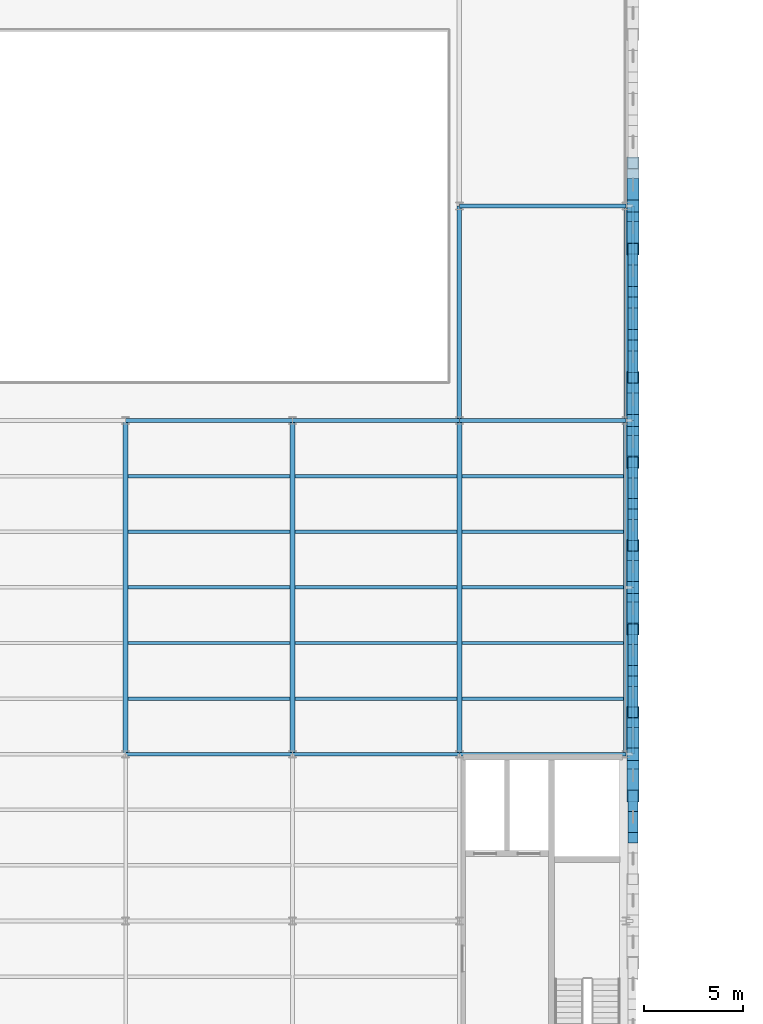
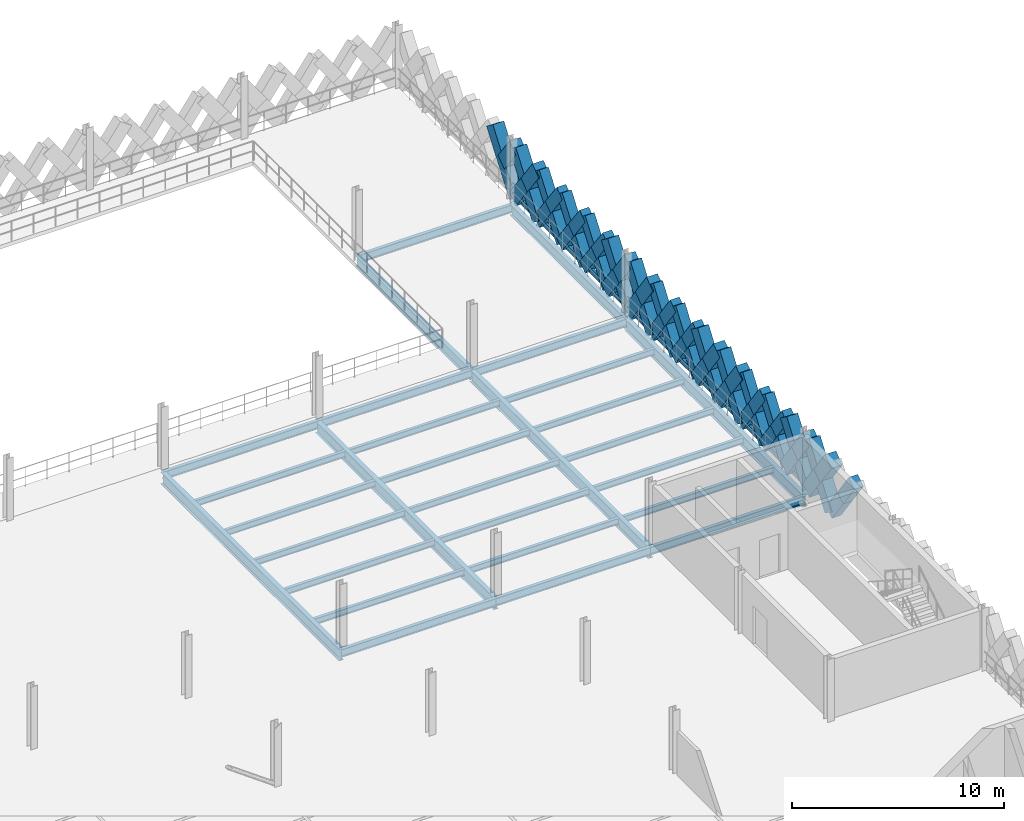
# One storey, part 27 of 62: 49 members, 28 beams.
"""IFC4 building model written with IfcOpenShell, lengths in metres."""

from ifc_helpers import new_model, si_unit, direction, frame, origin, origin_2d, place, context, subcontext, project, spatial, rectangle, hollow_rectangle, i_section, extrude, material, material_profile, profile_set, type_object, element, save


model = new_model("IFC4")

# Units and contexts
model_context = context("Model", 3, precision=1e-05, world=origin(), true_north=direction((0.0, 1.0)))
body_context = subcontext(model_context, "Body", "Model", "MODEL_VIEW")
ifc_project = project(units=[si_unit("LENGTHUNIT", "METRE"), si_unit("AREAUNIT", "SQUARE_METRE"), si_unit("VOLUMEUNIT", "CUBIC_METRE"), si_unit("PLANEANGLEUNIT", "RADIAN"), si_unit("MASSUNIT", "GRAM", prefix="KILO"), si_unit("THERMODYNAMICTEMPERATUREUNIT", "KELVIN"), si_unit("POWERUNIT", "WATT")], contexts=[model_context])

# Site, building, storey
site_placement = place(None, origin())
site = spatial("IfcSite", under=ifc_project, at=site_placement, CompositionType="ELEMENT")
building_placement = place(site_placement, origin())
building = spatial("IfcBuilding", under=site, at=building_placement, Name="Tembeka Court Mobility Hub", CompositionType="ELEMENT")
storey_placement = place(building_placement, frame((0.0, 0.0, 16.199951171875)))
storey = spatial("IfcBuildingStorey", under=building, at=storey_placement, Name="L04", CompositionType="ELEMENT", Elevation=16.199951171875)

# Beams
ifc_material_1 = material(Name="Steel S355", Category="steel")
ifc_material_profile_1 = material_profile(ifc_material_1, i_section(OverallWidth=0.18994140625, OverallDepth=0.45703125, WebThickness=0.009033203125, FlangeThickness=0.014404296875, FilletRadius=0.01025390625, at=origin_2d()), Name="UKB 457x191x74")
ifc_profile_set_1 = profile_set([ifc_material_profile_1], Name="Steel S355")
beam_type_1 = type_object("IfcBeamType", Name="BM-B01", PredefinedType="BEAM", material=ifc_profile_set_1)
beam_1_placement = place(storey_placement, frame((67.199951171875, 80.39990234375, -0.448486328125), z_axis=(1.0, 0.0, 0.0), x_axis=(0.0, 1.0, 0.0)))
element("IfcBeam", 1, at=beam_1_placement, inside=storey, type_object=beam_type_1, Name="Beam B01 (BM-L04-X2286)", PredefinedType="BEAM", context=body_context, shape_type="SweptSolid", body=[
    extrude(i_section(OverallWidth=0.18994140625, OverallDepth=0.45703125, WebThickness=0.009033203125, FlangeThickness=0.014404296875, FilletRadius=0.01025390625, at=origin_2d()), origin(), (0.0, 0.0, 1.0), 8.400146484375),
])
for number, where, z_axis, x_axis, name in (
    (2, (75.60009765625, 80.39990234375, -0.448486328125), (1.0, 0.0, 0.0), (0.0, 1.0, 0.0), "Beam B01 (BM-L04-X2287)"),
    (3, (84.0, 80.39990234375, -0.448486328125), (1.0, 0.0, 0.0), (0.0, 1.0, 0.0), "Beam B01 (BM-L04-X2288)"),
):
    element("IfcBeam", number, at=place(storey_placement, frame(where, z_axis=z_axis, x_axis=x_axis)), inside=storey, type_object=beam_type_1, Name=name, PredefinedType="BEAM", context=body_context, shape_type="SweptSolid", body=[
        extrude(i_section(OverallWidth=0.18994140625, OverallDepth=0.45703125, WebThickness=0.009033203125, FlangeThickness=0.014404296875, FilletRadius=0.01025390625, at=origin_2d()), origin(), (0.0, 0.0, 1.0), 8.39990234375),
    ])
beam_2_placement = place(storey_placement, frame((67.199951171875, 97.199951171875, -0.448486328125), z_axis=(1.0, 0.0, 0.0), x_axis=(0.0, 1.0, 0.0)))
element("IfcBeam", 4, at=beam_2_placement, inside=storey, type_object=beam_type_1, Name="Beam B01 (BM-L04-X2297)", PredefinedType="BEAM", context=body_context, shape_type="SweptSolid", body=[
    extrude(i_section(OverallWidth=0.18994140625, OverallDepth=0.45703125, WebThickness=0.009033203125, FlangeThickness=0.014404296875, FilletRadius=0.01025390625, at=origin_2d()), origin(), (0.0, 0.0, 1.0), 8.400146484375),
])
for number, where, z_axis, x_axis, name in (
    (5, (75.60009765625, 97.199951171875, -0.448486328125), (1.0, 0.0, 0.0), (0.0, 1.0, 0.0), "Beam B01 (BM-L04-X2298)"),
    (6, (84.0, 97.199951171875, -0.448486328125), (1.0, 0.0, 0.0), (0.0, 1.0, 0.0), "Beam B01 (BM-L04-X2299)"),
    (7, (84.0, 108.0, -0.448486328125), (1.0, 0.0, 0.0), (0.0, 1.0, 0.0), "Beam B01 (BM-L04-X2302)"),
):
    element("IfcBeam", number, at=place(storey_placement, frame(where, z_axis=z_axis, x_axis=x_axis)), inside=storey, type_object=beam_type_1, Name=name, PredefinedType="BEAM", context=body_context, shape_type="SweptSolid", body=[
        extrude(i_section(OverallWidth=0.18994140625, OverallDepth=0.45703125, WebThickness=0.009033203125, FlangeThickness=0.014404296875, FilletRadius=0.01025390625, at=origin_2d()), origin(), (0.0, 0.0, 1.0), 8.39990234375),
    ])
ifc_material_profile_2 = material_profile(ifc_material_1, i_section(OverallWidth=0.25390625, OverallDepth=0.68408203125, WebThickness=0.012451171875, FlangeThickness=0.01904296875, FilletRadius=0.01513671875, at=origin_2d()), Name="UKB 686x254x140")
ifc_profile_set_2 = profile_set([ifc_material_profile_2], Name="Steel S355")
beam_type_2 = type_object("IfcBeamType", Name="BM-G01", PredefinedType="USERDEFINED", material=ifc_profile_set_2)
for number, where, z_axis, x_axis, name in (
    (8, (67.199951171875, 80.39990234375, -0.56201171875), (0.0, 1.0, 0.0), (-1.0, 0.0, 0.0), "Beam G01 (BM-L04-Y2388)"),
    (9, (75.60009765625, 80.39990234375, -0.56201171875), (0.0, 1.0, 0.0), (-1.0, 0.0, 0.0), "Beam G01 (BM-L04-Y2395)"),
    (10, (84.0, 80.39990234375, -0.56201171875), (0.0, 1.0, 0.0), (-1.0, 0.0, 0.0), "Beam G01 (BM-L04-Y2404)"),
    (11, (92.39990234375, 80.39990234375, -0.56201171875), (0.0, 1.0, 0.0), (-1.0, 0.0, 0.0), "Beam G01 (BM-L04-Y2415)"),
):
    element("IfcBeam", number, at=place(storey_placement, frame(where, z_axis=z_axis, x_axis=x_axis)), inside=storey, type_object=beam_type_2, Name=name, ObjectType="GIRDER", PredefinedType="USERDEFINED", context=body_context, shape_type="SweptSolid", body=[
        extrude(i_section(OverallWidth=0.25390625, OverallDepth=0.68408203125, WebThickness=0.012451171875, FlangeThickness=0.01904296875, FilletRadius=0.01513671875, at=origin_2d()), origin(), (0.0, 0.0, 1.0), 16.800048828125),
    ])
ifc_material_profile_3 = material_profile(ifc_material_1, i_section(OverallWidth=0.22900390625, OverallDepth=0.612060546875, WebThickness=0.011962890625, FlangeThickness=0.01953125, FilletRadius=0.0126953125, at=origin_2d()), Name="UKB 610x229x125")
ifc_profile_set_3 = profile_set([ifc_material_profile_3], Name="Steel S355")
beam_type_3 = type_object("IfcBeamType", Name="BM-G02", PredefinedType="USERDEFINED", material=ifc_profile_set_3)
for number, where, z_axis, x_axis, name in (
    (12, (84.0, 97.199951171875, -0.52587890625), (0.0, 1.0, 0.0), (-1.0, 0.0, 0.0), "Beam G02 (BM-L04-Y2405)"),
    (13, (92.39990234375, 97.199951171875, -0.52587890625), (0.0, 1.0, 0.0), (-1.0, 0.0, 0.0), "Beam G02 (BM-L04-Y2416)"),
):
    element("IfcBeam", number, at=place(storey_placement, frame(where, z_axis=z_axis, x_axis=x_axis)), inside=storey, type_object=beam_type_3, Name=name, ObjectType="GIRDER", PredefinedType="USERDEFINED", context=body_context, shape_type="SweptSolid", body=[
        extrude(i_section(OverallWidth=0.22900390625, OverallDepth=0.612060546875, WebThickness=0.011962890625, FlangeThickness=0.01953125, FilletRadius=0.0126953125, at=origin_2d()), origin(), (0.0, 0.0, 1.0), 10.800048828125),
    ])
ifc_material_profile_4 = material_profile(ifc_material_1, i_section(OverallWidth=0.172119140625, OverallDepth=0.35498046875, WebThickness=0.00732421875, FlangeThickness=0.011474609375, FilletRadius=0.01025390625, at=origin_2d()), Name="UKB 356x171x51")
ifc_profile_set_4 = profile_set([ifc_material_profile_4], Name="Steel S355")
beam_type_4 = type_object("IfcBeamType", Name="BM-J01", PredefinedType="JOIST", material=ifc_profile_set_4)
for number, where, z_axis, x_axis, name in (
    (14, (67.322021484375, 83.199951171875, -0.3974609375), (1.0, 0.0, 0.0), (0.0, 1.0, 0.0), "Beam J01 (JST-L04-2597)"),
    (15, (67.322021484375, 86.0, -0.3974609375), (1.0, 0.0, 0.0), (0.0, 1.0, 0.0), "Beam J01 (JST-L04-2598)"),
    (16, (67.322021484375, 88.800048828125, -0.3974609375), (1.0, 0.0, 0.0), (0.0, 1.0, 0.0), "Beam J01 (JST-L04-2599)"),
    (17, (67.322021484375, 91.60009765625, -0.3974609375), (1.0, 0.0, 0.0), (0.0, 1.0, 0.0), "Beam J01 (JST-L04-2600)"),
    (18, (67.322021484375, 94.39990234375, -0.3974609375), (1.0, 0.0, 0.0), (0.0, 1.0, 0.0), "Beam J01 (JST-L04-2601)"),
    (19, (75.721923828125, 83.199951171875, -0.3974609375), (1.0, 0.0, 0.0), (0.0, 1.0, 0.0), "Beam J01 (JST-L04-2617)"),
    (20, (75.721923828125, 86.0, -0.3974609375), (1.0, 0.0, 0.0), (0.0, 1.0, 0.0), "Beam J01 (JST-L04-2618)"),
    (21, (75.721923828125, 88.800048828125, -0.3974609375), (1.0, 0.0, 0.0), (0.0, 1.0, 0.0), "Beam J01 (JST-L04-2619)"),
    (22, (75.721923828125, 91.60009765625, -0.3974609375), (1.0, 0.0, 0.0), (0.0, 1.0, 0.0), "Beam J01 (JST-L04-2620)"),
    (23, (75.721923828125, 94.39990234375, -0.3974609375), (1.0, 0.0, 0.0), (0.0, 1.0, 0.0), "Beam J01 (JST-L04-2621)"),
    (24, (84.1220703125, 83.199951171875, -0.3974609375), (1.0, 0.0, 0.0), (0.0, 1.0, 0.0), "Beam J01 (JST-L04-2629)"),
    (25, (84.1220703125, 86.0, -0.3974609375), (1.0, 0.0, 0.0), (0.0, 1.0, 0.0), "Beam J01 (JST-L04-2630)"),
    (26, (84.1220703125, 88.800048828125, -0.3974609375), (1.0, 0.0, 0.0), (0.0, 1.0, 0.0), "Beam J01 (JST-L04-2631)"),
    (27, (84.1220703125, 91.60009765625, -0.3974609375), (1.0, 0.0, 0.0), (0.0, 1.0, 0.0), "Beam J01 (JST-L04-2632)"),
    (28, (84.1220703125, 94.39990234375, -0.3974609375), (1.0, 0.0, 0.0), (0.0, 1.0, 0.0), "Beam J01 (JST-L04-2633)"),
):
    element("IfcBeam", number, at=place(storey_placement, frame(where, z_axis=z_axis, x_axis=x_axis)), inside=storey, type_object=beam_type_4, Name=name, PredefinedType="JOIST", context=body_context, shape_type="SweptSolid", body=[
        extrude(i_section(OverallWidth=0.172119140625, OverallDepth=0.35498046875, WebThickness=0.00732421875, FlangeThickness=0.011474609375, FilletRadius=0.01025390625, at=origin_2d()), origin(), (0.0, 0.0, 1.0), 8.156005859375),
    ])

# Members
ifc_material_2 = material(Name="Precast concrete C45/55", Category="concrete")
ifc_material_profile_5 = material_profile(ifc_material_2, rectangle(XDim=0.5, YDim=0.64990234375, at=origin_2d()), Name="PC-DIAG 500x650")
ifc_profile_set_5 = profile_set([ifc_material_profile_5], Name="Precast concrete C45/55")
member_type_1 = type_object("IfcMemberType", Name="MEM-DL01", PredefinedType="BRACE", material=ifc_profile_set_5)
member_1_placement = place(storey_placement, frame((92.739990234375, 78.300048828125, 0.02001953125), z_axis=(0.0, -0.582544294934, 0.812798956963), x_axis=(1.0, 0.0, 0.0)))
element("IfcMember", 29, at=member_1_placement, inside=storey, type_object=member_type_1, Name="Precast diamond lattice split lower strand DL01 (L04-769D1)", PredefinedType="BRACE", context=body_context, shape_type="SweptSolid", body=[
    extrude(rectangle(XDim=0.5, YDim=0.64990234375, at=origin_2d()), origin(), (0.0, 0.0, 1.0), 1.802490234375),
])
member_2_placement = place(storey_placement, frame((92.739990234375, 77.25, 1.485107421875), z_axis=(0.0, -0.582608431711, 0.812752985414), x_axis=(1.0, 0.0, 0.0)))
element("IfcMember", 30, at=member_2_placement, inside=storey, type_object=member_type_1, Name="Precast diamond lattice split upper strand DL01 (L04-769D2)", PredefinedType="BRACE", context=body_context, shape_type="SweptSolid", body=[
    extrude(rectangle(XDim=0.5, YDim=0.64990234375, at=origin_2d()), origin(), (0.0, 0.0, 1.0), 1.80224609375),
])
member_3_placement = place(storey_placement, frame((92.739990234375, 82.5, 0.02001953125), z_axis=(0.0, 0.582576362011, 0.812775973086), x_axis=(-1.0, 0.0, 0.0)))
element("IfcMember", 31, at=member_3_placement, inside=storey, type_object=member_type_1, Name="Precast diamond lattice continuous strand DL01 (L04-772C)", PredefinedType="BRACE", context=body_context, shape_type="SweptSolid", body=[
    extrude(rectangle(XDim=0.5, YDim=0.64990234375, at=origin_2d()), origin(), (0.0, 0.0, 1.0), 3.604736328125),
])
member_4_placement = place(storey_placement, frame((92.739990234375, 84.60009765625, 0.02001953125), z_axis=(0.0, -0.582544294934, 0.812798956963), x_axis=(1.0, 0.0, 0.0)))
element("IfcMember", 32, at=member_4_placement, inside=storey, type_object=member_type_1, Name="Precast diamond lattice split lower strand DL01 (L04-772D1)", PredefinedType="BRACE", context=body_context, shape_type="SweptSolid", body=[
    extrude(rectangle(XDim=0.5, YDim=0.64990234375, at=origin_2d()), origin(), (0.0, 0.0, 1.0), 1.802490234375),
])
member_5_placement = place(storey_placement, frame((92.739990234375, 83.550048828125, 1.485107421875), z_axis=(0.0, -0.582608431711, 0.812752985414), x_axis=(1.0, 0.0, 0.0)))
element("IfcMember", 33, at=member_5_placement, inside=storey, type_object=member_type_1, Name="Precast diamond lattice split upper strand DL01 (L04-772D2)", PredefinedType="BRACE", context=body_context, shape_type="SweptSolid", body=[
    extrude(rectangle(XDim=0.5, YDim=0.64990234375, at=origin_2d()), origin(), (0.0, 0.0, 1.0), 1.80224609375),
])
member_6_placement = place(storey_placement, frame((92.739990234375, 84.60009765625, 0.02001953125), z_axis=(0.0, 0.58253161945, 0.812808041509), x_axis=(-1.0, 0.0, 0.0)))
element("IfcMember", 34, at=member_6_placement, inside=storey, type_object=member_type_1, Name="Precast diamond lattice continuous strand DL01 (L04-773C)", PredefinedType="BRACE", context=body_context, shape_type="SweptSolid", body=[
    extrude(rectangle(XDim=0.5, YDim=0.64990234375, at=origin_2d()), origin(), (0.0, 0.0, 1.0), 3.604736328125),
])
member_7_placement = place(storey_placement, frame((92.739990234375, 86.699951171875, 0.02001953125), z_axis=(0.0, -0.582544294934, 0.812798956963), x_axis=(1.0, 0.0, 0.0)))
element("IfcMember", 35, at=member_7_placement, inside=storey, type_object=member_type_1, Name="Precast diamond lattice split lower strand DL01 (L04-773D1)", PredefinedType="BRACE", context=body_context, shape_type="SweptSolid", body=[
    extrude(rectangle(XDim=0.5, YDim=0.64990234375, at=origin_2d()), origin(), (0.0, 0.0, 1.0), 1.802490234375),
])
member_8_placement = place(storey_placement, frame((92.739990234375, 85.64990234375, 1.485107421875), z_axis=(0.0, -0.582518941428, 0.812817127574), x_axis=(1.0, 0.0, 0.0)))
element("IfcMember", 36, at=member_8_placement, inside=storey, type_object=member_type_1, Name="Precast diamond lattice split upper strand DL01 (L04-773D2)", PredefinedType="BRACE", context=body_context, shape_type="SweptSolid", body=[
    extrude(rectangle(XDim=0.5, YDim=0.64990234375, at=origin_2d()), origin(), (0.0, 0.0, 1.0), 1.80224609375),
])
member_9_placement = place(storey_placement, frame((92.739990234375, 90.89990234375, 0.02001953125), z_axis=(0.0, 0.582576362011, 0.812775973086), x_axis=(-1.0, 0.0, 0.0)))
element("IfcMember", 37, at=member_9_placement, inside=storey, type_object=member_type_1, Name="Precast diamond lattice continuous strand DL01 (L04-776C)", PredefinedType="BRACE", context=body_context, shape_type="SweptSolid", body=[
    extrude(rectangle(XDim=0.5, YDim=0.64990234375, at=origin_2d()), origin(), (0.0, 0.0, 1.0), 3.604736328125),
])
member_10_placement = place(storey_placement, frame((92.739990234375, 93.0, 0.02001953125), z_axis=(0.0, -0.582544294934, 0.812798956963), x_axis=(1.0, 0.0, 0.0)))
element("IfcMember", 38, at=member_10_placement, inside=storey, type_object=member_type_1, Name="Precast diamond lattice split lower strand DL01 (L04-776D1)", PredefinedType="BRACE", context=body_context, shape_type="SweptSolid", body=[
    extrude(rectangle(XDim=0.5, YDim=0.64990234375, at=origin_2d()), origin(), (0.0, 0.0, 1.0), 1.802490234375),
])
member_11_placement = place(storey_placement, frame((92.739990234375, 91.949951171875, 1.485107421875), z_axis=(0.0, -0.582608431711, 0.812752985414), x_axis=(1.0, 0.0, 0.0)))
element("IfcMember", 39, at=member_11_placement, inside=storey, type_object=member_type_1, Name="Precast diamond lattice split upper strand DL01 (L04-776D2)", PredefinedType="BRACE", context=body_context, shape_type="SweptSolid", body=[
    extrude(rectangle(XDim=0.5, YDim=0.64990234375, at=origin_2d()), origin(), (0.0, 0.0, 1.0), 1.80224609375),
])
member_12_placement = place(storey_placement, frame((92.739990234375, 93.0, 0.02001953125), z_axis=(0.0, 0.582576362011, 0.812775973086), x_axis=(-1.0, 0.0, 0.0)))
element("IfcMember", 40, at=member_12_placement, inside=storey, type_object=member_type_1, Name="Precast diamond lattice continuous strand DL01 (L04-777C)", PredefinedType="BRACE", context=body_context, shape_type="SweptSolid", body=[
    extrude(rectangle(XDim=0.5, YDim=0.64990234375, at=origin_2d()), origin(), (0.0, 0.0, 1.0), 3.604736328125),
])
member_13_placement = place(storey_placement, frame((92.739990234375, 95.10009765625, 0.02001953125), z_axis=(0.0, -0.582544294934, 0.812798956963), x_axis=(1.0, 0.0, 0.0)))
element("IfcMember", 41, at=member_13_placement, inside=storey, type_object=member_type_1, Name="Precast diamond lattice split lower strand DL01 (L04-777D1)", PredefinedType="BRACE", context=body_context, shape_type="SweptSolid", body=[
    extrude(rectangle(XDim=0.5, YDim=0.64990234375, at=origin_2d()), origin(), (0.0, 0.0, 1.0), 1.802490234375),
])
member_14_placement = place(storey_placement, frame((92.739990234375, 94.050048828125, 1.485107421875), z_axis=(0.0, -0.582608431711, 0.812752985414), x_axis=(1.0, 0.0, 0.0)))
element("IfcMember", 42, at=member_14_placement, inside=storey, type_object=member_type_1, Name="Precast diamond lattice split upper strand DL01 (L04-777D2)", PredefinedType="BRACE", context=body_context, shape_type="SweptSolid", body=[
    extrude(rectangle(XDim=0.5, YDim=0.64990234375, at=origin_2d()), origin(), (0.0, 0.0, 1.0), 1.80224609375),
])
member_15_placement = place(storey_placement, frame((92.739990234375, 99.360107421875, 0.02001953125), z_axis=(0.0, 0.593379766398, 0.804922637792), x_axis=(-1.0, 0.0, 0.0)))
element("IfcMember", 43, at=member_15_placement, inside=storey, type_object=member_type_1, Name="Precast diamond lattice continuous strand DL01 (L04-780C)", PredefinedType="BRACE", context=body_context, shape_type="SweptSolid", body=[
    extrude(rectangle(XDim=0.5, YDim=0.64990234375, at=origin_2d()), origin(), (0.0, 0.0, 1.0), 3.64013671875),
])
member_16_placement = place(storey_placement, frame((92.739990234375, 101.52001953125, 0.02001953125), z_axis=(0.0, -0.593391185876, 0.804914219358), x_axis=(1.0, 0.0, 0.0)))
element("IfcMember", 44, at=member_16_placement, inside=storey, type_object=member_type_1, Name="Precast diamond lattice split lower strand DL01 (L04-780D1)", PredefinedType="BRACE", context=body_context, shape_type="SweptSolid", body=[
    extrude(rectangle(XDim=0.5, YDim=0.64990234375, at=origin_2d()), origin(), (0.0, 0.0, 1.0), 1.820068359375),
])
member_17_placement = place(storey_placement, frame((92.739990234375, 100.43994140625, 1.485107421875), z_axis=(0.0, -0.593368344659, 0.804931057642), x_axis=(1.0, 0.0, 0.0)))
element("IfcMember", 45, at=member_17_placement, inside=storey, type_object=member_type_1, Name="Precast diamond lattice split upper strand DL01 (L04-780D2)", PredefinedType="BRACE", context=body_context, shape_type="SweptSolid", body=[
    extrude(rectangle(XDim=0.5, YDim=0.64990234375, at=origin_2d()), origin(), (0.0, 0.0, 1.0), 1.81982421875),
])
member_18_placement = place(storey_placement, frame((92.739990234375, 101.52001953125, 0.02001953125), z_axis=(0.0, 0.593379766398, 0.804922637792), x_axis=(-1.0, 0.0, 0.0)))
element("IfcMember", 46, at=member_18_placement, inside=storey, type_object=member_type_1, Name="Precast diamond lattice continuous strand DL01 (L04-781C)", PredefinedType="BRACE", context=body_context, shape_type="SweptSolid", body=[
    extrude(rectangle(XDim=0.5, YDim=0.64990234375, at=origin_2d()), origin(), (0.0, 0.0, 1.0), 3.64013671875),
])
for number, where, z_axis, x_axis, name in (
    (47, (92.739990234375, 103.679931640625, 0.02001953125), (0.0, -0.593304274421, 0.804978284151), (1.0, 0.0, 0.0), "Precast diamond lattice split lower strand DL01 (L04-781D1)"),
    (48, (92.739990234375, 102.60009765625, 1.485107421875), (0.0, -0.593455255298, 0.804866982773), (1.0, 0.0, 0.0), "Precast diamond lattice split upper strand DL01 (L04-781D2)"),
):
    element("IfcMember", number, at=place(storey_placement, frame(where, z_axis=z_axis, x_axis=x_axis)), inside=storey, type_object=member_type_1, Name=name, PredefinedType="BRACE", context=body_context, shape_type="SweptSolid", body=[
        extrude(rectangle(XDim=0.5, YDim=0.64990234375, at=origin_2d()), origin(), (0.0, 0.0, 1.0), 1.820068359375),
    ])
member_19_placement = place(storey_placement, frame((92.739990234375, 103.679931640625, 0.02001953125), z_axis=(0.0, 0.593423219328, 0.804890602978), x_axis=(-1.0, 0.0, 0.0)))
element("IfcMember", 49, at=member_19_placement, inside=storey, type_object=member_type_1, Name="Precast diamond lattice continuous strand DL01 (L04-782C)", PredefinedType="BRACE", context=body_context, shape_type="SweptSolid", body=[
    extrude(rectangle(XDim=0.5, YDim=0.64990234375, at=origin_2d()), origin(), (0.0, 0.0, 1.0), 3.64013671875),
])
for number, where, z_axis, x_axis, name in (
    (50, (92.739990234375, 105.840087890625, 0.02001953125), (0.0, -0.593391185876, 0.804914219358), (1.0, 0.0, 0.0), "Precast diamond lattice split lower strand DL01 (L04-782D1)"),
    (51, (92.739990234375, 104.760009765625, 1.485107421875), (0.0, -0.593455255298, 0.804866982773), (1.0, 0.0, 0.0), "Precast diamond lattice split upper strand DL01 (L04-782D2)"),
):
    element("IfcMember", number, at=place(storey_placement, frame(where, z_axis=z_axis, x_axis=x_axis)), inside=storey, type_object=member_type_1, Name=name, PredefinedType="BRACE", context=body_context, shape_type="SweptSolid", body=[
        extrude(rectangle(XDim=0.5, YDim=0.64990234375, at=origin_2d()), origin(), (0.0, 0.0, 1.0), 1.820068359375),
    ])
ifc_material_profile_6 = material_profile(ifc_material_2, rectangle(XDim=0.60009765625, YDim=0.75, at=origin_2d()), Name="PC-DIAG 600x750")
ifc_profile_set_6 = profile_set([ifc_material_profile_6], Name="Precast concrete C45/55")
member_type_2 = type_object("IfcMemberType", Name="MEM-DL02", PredefinedType="BRACE", material=ifc_profile_set_6)
member_20_placement = place(storey_placement, frame((92.739990234375, 78.300048828125, 0.02001953125), z_axis=(0.0, 0.58253161945, 0.812808041509), x_axis=(-1.0, 0.0, 0.0)))
element("IfcMember", 52, at=member_20_placement, inside=storey, type_object=member_type_2, Name="Precast diamond lattice continuous strand DL02 (L04-770C)", PredefinedType="BRACE", context=body_context, shape_type="SweptSolid", body=[
    extrude(rectangle(XDim=0.60009765625, YDim=0.75, at=origin_2d()), origin(), (0.0, 0.0, 1.0), 3.604736328125),
])
member_21_placement = place(storey_placement, frame((92.739990234375, 80.39990234375, 0.02001953125), z_axis=(0.0, -0.582454804382, 0.812863088627), x_axis=(1.0, 0.0, 0.0)))
element("IfcMember", 53, at=member_21_placement, inside=storey, type_object=member_type_2, Name="Precast diamond lattice split lower strand DL02 (L04-770D1)", PredefinedType="BRACE", context=body_context, shape_type="SweptSolid", body=[
    extrude(rectangle(XDim=0.60009765625, YDim=0.75, at=origin_2d()), origin(), (0.0, 0.0, 1.0), 1.802490234375),
])
member_22_placement = place(storey_placement, frame((92.739990234375, 79.35009765625, 1.485107421875), z_axis=(0.0, -0.582608431711, 0.812752985414), x_axis=(1.0, 0.0, 0.0)))
element("IfcMember", 54, at=member_22_placement, inside=storey, type_object=member_type_2, Name="Precast diamond lattice split upper strand DL02 (L04-770D2)", PredefinedType="BRACE", context=body_context, shape_type="SweptSolid", body=[
    extrude(rectangle(XDim=0.60009765625, YDim=0.75, at=origin_2d()), origin(), (0.0, 0.0, 1.0), 1.80224609375),
])
member_23_placement = place(storey_placement, frame((92.739990234375, 80.39990234375, 0.02001953125), z_axis=(0.0, 0.582576362011, 0.812775973086), x_axis=(-1.0, 0.0, 0.0)))
element("IfcMember", 55, at=member_23_placement, inside=storey, type_object=member_type_2, Name="Precast diamond lattice continuous strand DL02 (L04-771C)", PredefinedType="BRACE", context=body_context, shape_type="SweptSolid", body=[
    extrude(rectangle(XDim=0.60009765625, YDim=0.75, at=origin_2d()), origin(), (0.0, 0.0, 1.0), 3.604736328125),
])
member_24_placement = place(storey_placement, frame((92.739990234375, 82.5, 0.02001953125), z_axis=(0.0, -0.582544294934, 0.812798956963), x_axis=(1.0, 0.0, 0.0)))
element("IfcMember", 56, at=member_24_placement, inside=storey, type_object=member_type_2, Name="Precast diamond lattice split lower strand DL02 (L04-771D1)", PredefinedType="BRACE", context=body_context, shape_type="SweptSolid", body=[
    extrude(rectangle(XDim=0.60009765625, YDim=0.75, at=origin_2d()), origin(), (0.0, 0.0, 1.0), 1.802490234375),
])
member_25_placement = place(storey_placement, frame((92.739990234375, 81.449951171875, 1.485107421875), z_axis=(0.0, -0.582608431711, 0.812752985414), x_axis=(1.0, 0.0, 0.0)))
element("IfcMember", 57, at=member_25_placement, inside=storey, type_object=member_type_2, Name="Precast diamond lattice split upper strand DL02 (L04-771D2)", PredefinedType="BRACE", context=body_context, shape_type="SweptSolid", body=[
    extrude(rectangle(XDim=0.60009765625, YDim=0.75, at=origin_2d()), origin(), (0.0, 0.0, 1.0), 1.80224609375),
])
member_26_placement = place(storey_placement, frame((92.739990234375, 86.699951171875, 0.02001953125), z_axis=(0.0, 0.582576362011, 0.812775973086), x_axis=(-1.0, 0.0, 0.0)))
element("IfcMember", 58, at=member_26_placement, inside=storey, type_object=member_type_2, Name="Precast diamond lattice continuous strand DL02 (L04-774C)", PredefinedType="BRACE", context=body_context, shape_type="SweptSolid", body=[
    extrude(rectangle(XDim=0.60009765625, YDim=0.75, at=origin_2d()), origin(), (0.0, 0.0, 1.0), 3.604736328125),
])
member_27_placement = place(storey_placement, frame((92.739990234375, 88.800048828125, 0.02001953125), z_axis=(0.0, -0.582544294934, 0.812798956963), x_axis=(1.0, 0.0, 0.0)))
element("IfcMember", 59, at=member_27_placement, inside=storey, type_object=member_type_2, Name="Precast diamond lattice split lower strand DL02 (L04-774D1)", PredefinedType="BRACE", context=body_context, shape_type="SweptSolid", body=[
    extrude(rectangle(XDim=0.60009765625, YDim=0.75, at=origin_2d()), origin(), (0.0, 0.0, 1.0), 1.802490234375),
])
member_28_placement = place(storey_placement, frame((92.739990234375, 87.75, 1.485107421875), z_axis=(0.0, -0.582608431711, 0.812752985414), x_axis=(1.0, 0.0, 0.0)))
element("IfcMember", 60, at=member_28_placement, inside=storey, type_object=member_type_2, Name="Precast diamond lattice split upper strand DL02 (L04-774D2)", PredefinedType="BRACE", context=body_context, shape_type="SweptSolid", body=[
    extrude(rectangle(XDim=0.60009765625, YDim=0.75, at=origin_2d()), origin(), (0.0, 0.0, 1.0), 1.80224609375),
])
member_29_placement = place(storey_placement, frame((92.739990234375, 88.800048828125, 0.02001953125), z_axis=(0.0, 0.58253161945, 0.812808041509), x_axis=(-1.0, 0.0, 0.0)))
element("IfcMember", 61, at=member_29_placement, inside=storey, type_object=member_type_2, Name="Precast diamond lattice continuous strand DL02 (L04-775C)", PredefinedType="BRACE", context=body_context, shape_type="SweptSolid", body=[
    extrude(rectangle(XDim=0.60009765625, YDim=0.75, at=origin_2d()), origin(), (0.0, 0.0, 1.0), 3.604736328125),
])
member_30_placement = place(storey_placement, frame((92.739990234375, 90.89990234375, 0.02001953125), z_axis=(0.0, -0.582454804382, 0.812863088627), x_axis=(1.0, 0.0, 0.0)))
element("IfcMember", 62, at=member_30_placement, inside=storey, type_object=member_type_2, Name="Precast diamond lattice split lower strand DL02 (L04-775D1)", PredefinedType="BRACE", context=body_context, shape_type="SweptSolid", body=[
    extrude(rectangle(XDim=0.60009765625, YDim=0.75, at=origin_2d()), origin(), (0.0, 0.0, 1.0), 1.802490234375),
])
member_31_placement = place(storey_placement, frame((92.739990234375, 89.85009765625, 1.485107421875), z_axis=(0.0, -0.582608431711, 0.812752985414), x_axis=(1.0, 0.0, 0.0)))
element("IfcMember", 63, at=member_31_placement, inside=storey, type_object=member_type_2, Name="Precast diamond lattice split upper strand DL02 (L04-775D2)", PredefinedType="BRACE", context=body_context, shape_type="SweptSolid", body=[
    extrude(rectangle(XDim=0.60009765625, YDim=0.75, at=origin_2d()), origin(), (0.0, 0.0, 1.0), 1.80224609375),
])
member_32_placement = place(storey_placement, frame((92.739990234375, 95.10009765625, 0.02001953125), z_axis=(0.0, 0.58253161945, 0.812808041509), x_axis=(-1.0, 0.0, 0.0)))
element("IfcMember", 64, at=member_32_placement, inside=storey, type_object=member_type_2, Name="Precast diamond lattice continuous strand DL02 (L04-778C)", PredefinedType="BRACE", context=body_context, shape_type="SweptSolid", body=[
    extrude(rectangle(XDim=0.60009765625, YDim=0.75, at=origin_2d()), origin(), (0.0, 0.0, 1.0), 3.604736328125),
])
member_33_placement = place(storey_placement, frame((92.739990234375, 97.199951171875, 0.02001953125), z_axis=(0.0, -0.582544294934, 0.812798956963), x_axis=(1.0, 0.0, 0.0)))
element("IfcMember", 65, at=member_33_placement, inside=storey, type_object=member_type_2, Name="Precast diamond lattice split lower strand DL02 (L04-778D1)", PredefinedType="BRACE", context=body_context, shape_type="SweptSolid", body=[
    extrude(rectangle(XDim=0.60009765625, YDim=0.75, at=origin_2d()), origin(), (0.0, 0.0, 1.0), 1.802490234375),
])
member_34_placement = place(storey_placement, frame((92.739990234375, 96.14990234375, 1.485107421875), z_axis=(0.0, -0.582518941428, 0.812817127574), x_axis=(1.0, 0.0, 0.0)))
element("IfcMember", 66, at=member_34_placement, inside=storey, type_object=member_type_2, Name="Precast diamond lattice split upper strand DL02 (L04-778D2)", PredefinedType="BRACE", context=body_context, shape_type="SweptSolid", body=[
    extrude(rectangle(XDim=0.60009765625, YDim=0.75, at=origin_2d()), origin(), (0.0, 0.0, 1.0), 1.80224609375),
])
member_35_placement = place(storey_placement, frame((92.739990234375, 97.199951171875, 0.02001953125), z_axis=(0.0, 0.593423219328, 0.804890602978), x_axis=(-1.0, 0.0, 0.0)))
element("IfcMember", 67, at=member_35_placement, inside=storey, type_object=member_type_2, Name="Precast diamond lattice continuous strand DL02 (L04-779C)", PredefinedType="BRACE", context=body_context, shape_type="SweptSolid", body=[
    extrude(rectangle(XDim=0.60009765625, YDim=0.75, at=origin_2d()), origin(), (0.0, 0.0, 1.0), 3.64013671875),
])
for number, where, z_axis, x_axis, name in (
    (68, (92.739990234375, 99.360107421875, 0.02001953125), (0.0, -0.593391185876, 0.804914219358), (1.0, 0.0, 0.0), "Precast diamond lattice split lower strand DL02 (L04-779D1)"),
    (69, (92.739990234375, 98.280029296875, 1.485107421875), (0.0, -0.593455255298, 0.804866982773), (1.0, 0.0, 0.0), "Precast diamond lattice split upper strand DL02 (L04-779D2)"),
):
    element("IfcMember", number, at=place(storey_placement, frame(where, z_axis=z_axis, x_axis=x_axis)), inside=storey, type_object=member_type_2, Name=name, PredefinedType="BRACE", context=body_context, shape_type="SweptSolid", body=[
        extrude(rectangle(XDim=0.60009765625, YDim=0.75, at=origin_2d()), origin(), (0.0, 0.0, 1.0), 1.820068359375),
    ])
member_36_placement = place(storey_placement, frame((92.739990234375, 105.840087890625, 0.02001953125), z_axis=(0.0, 0.593379766398, 0.804922637792), x_axis=(-1.0, 0.0, 0.0)))
element("IfcMember", 70, at=member_36_placement, inside=storey, type_object=member_type_2, Name="Precast diamond lattice continuous strand DL02 (L04-783C)", PredefinedType="BRACE", context=body_context, shape_type="SweptSolid", body=[
    extrude(rectangle(XDim=0.60009765625, YDim=0.75, at=origin_2d()), origin(), (0.0, 0.0, 1.0), 3.64013671875),
])
member_37_placement = place(storey_placement, frame((92.739990234375, 108.0, 0.02001953125), z_axis=(0.0, -0.593391185876, 0.804914219358), x_axis=(1.0, 0.0, 0.0)))
element("IfcMember", 71, at=member_37_placement, inside=storey, type_object=member_type_2, Name="Precast diamond lattice split lower strand DL02 (L04-783D1)", PredefinedType="BRACE", context=body_context, shape_type="SweptSolid", body=[
    extrude(rectangle(XDim=0.60009765625, YDim=0.75, at=origin_2d()), origin(), (0.0, 0.0, 1.0), 1.820068359375),
])
member_38_placement = place(storey_placement, frame((92.739990234375, 106.919921875, 1.485107421875), z_axis=(0.0, -0.593368344659, 0.804931057642), x_axis=(1.0, 0.0, 0.0)))
element("IfcMember", 72, at=member_38_placement, inside=storey, type_object=member_type_2, Name="Precast diamond lattice split upper strand DL02 (L04-783D2)", PredefinedType="BRACE", context=body_context, shape_type="SweptSolid", body=[
    extrude(rectangle(XDim=0.60009765625, YDim=0.75, at=origin_2d()), origin(), (0.0, 0.0, 1.0), 1.81982421875),
])
member_39_placement = place(storey_placement, frame((92.739990234375, 108.0, 0.02001953125), z_axis=(0.0, 0.593379766398, 0.804922637792), x_axis=(-1.0, 0.0, 0.0)))
element("IfcMember", 73, at=member_39_placement, inside=storey, type_object=member_type_2, Name="Precast diamond lattice continuous strand DL02 (L04-784C)", PredefinedType="BRACE", context=body_context, shape_type="SweptSolid", body=[
    extrude(rectangle(XDim=0.60009765625, YDim=0.75, at=origin_2d()), origin(), (0.0, 0.0, 1.0), 3.64013671875),
])
member_40_placement = place(storey_placement, frame((92.739990234375, 109.080078125, 1.485107421875), z_axis=(0.0, -0.593455255298, 0.804866982773), x_axis=(1.0, 0.0, 0.0)))
element("IfcMember", 74, at=member_40_placement, inside=storey, type_object=member_type_2, Name="Precast diamond lattice split upper strand DL02 (L04-784D2)", PredefinedType="BRACE", context=body_context, shape_type="SweptSolid", body=[
    extrude(rectangle(XDim=0.60009765625, YDim=0.75, at=origin_2d()), origin(), (0.0, 0.0, 1.0), 1.820068359375),
])
ifc_material_profile_7 = material_profile(ifc_material_1, hollow_rectangle(XDim=0.14990234375, YDim=0.300048828125, WallThickness=0.010009765625, at=origin_2d()), Name="RHS 300x150x10")
ifc_profile_set_7 = profile_set([ifc_material_profile_7], Name="Steel S355")
member_type_3 = type_object("IfcMemberType", Name="MEM-ST03", PredefinedType="STRUT", material=ifc_profile_set_7)
member_41_placement = place(storey_placement, frame((92.739990234375, 80.39990234375, 0.02001953125), z_axis=(0.0, 1.0, 0.0), x_axis=(-1.0, 0.0, 0.0)))
element("IfcMember", 75, at=member_41_placement, inside=storey, type_object=member_type_3, Name="Proud lattice sill tie chord SR03 (L04-E-80)", PredefinedType="STRUT", context=body_context, shape_type="SweptSolid", body=[
    extrude(hollow_rectangle(XDim=0.14990234375, YDim=0.300048828125, WallThickness=0.010009765625, at=origin_2d()), origin(), (0.0, 0.0, 1.0), 8.400146484375),
])
member_42_placement = place(storey_placement, frame((92.739990234375, 88.800048828125, 0.02001953125), z_axis=(0.0, 1.0, 0.0), x_axis=(-1.0, 0.0, 0.0)))
element("IfcMember", 76, at=member_42_placement, inside=storey, type_object=member_type_3, Name="Proud lattice sill tie chord SR03 (L04-E-88)", PredefinedType="STRUT", context=body_context, shape_type="SweptSolid", body=[
    extrude(hollow_rectangle(XDim=0.14990234375, YDim=0.300048828125, WallThickness=0.010009765625, at=origin_2d()), origin(), (0.0, 0.0, 1.0), 8.39990234375),
])
member_43_placement = place(storey_placement, frame((92.739990234375, 97.199951171875, 0.02001953125), z_axis=(0.0, 1.0, 0.0), x_axis=(-1.0, 0.0, 0.0)))
element("IfcMember", 77, at=member_43_placement, inside=storey, type_object=member_type_3, Name="Proud lattice sill tie chord SR03 (L04-E-97)", PredefinedType="STRUT", context=body_context, shape_type="SweptSolid", body=[
    extrude(hollow_rectangle(XDim=0.14990234375, YDim=0.300048828125, WallThickness=0.010009765625, at=origin_2d()), origin(), (0.0, 0.0, 1.0), 10.800048828125),
])

save(model, "model.ifc")
